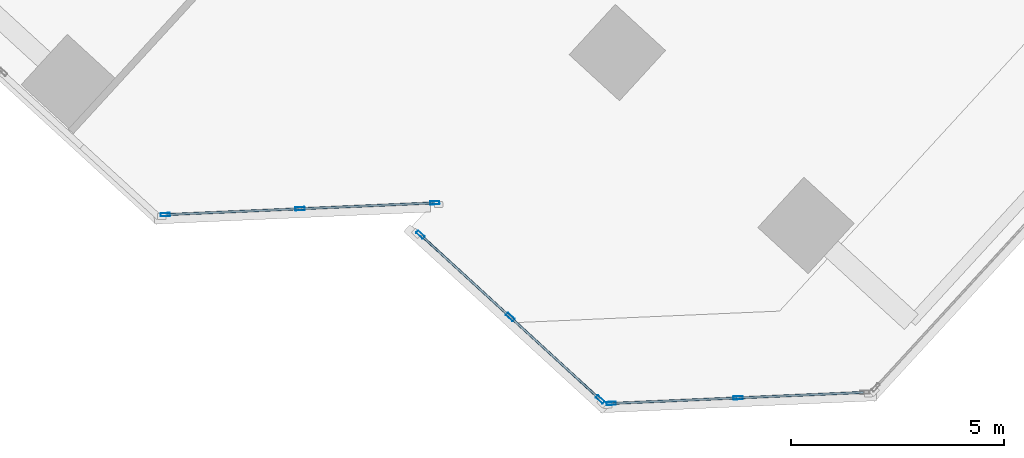
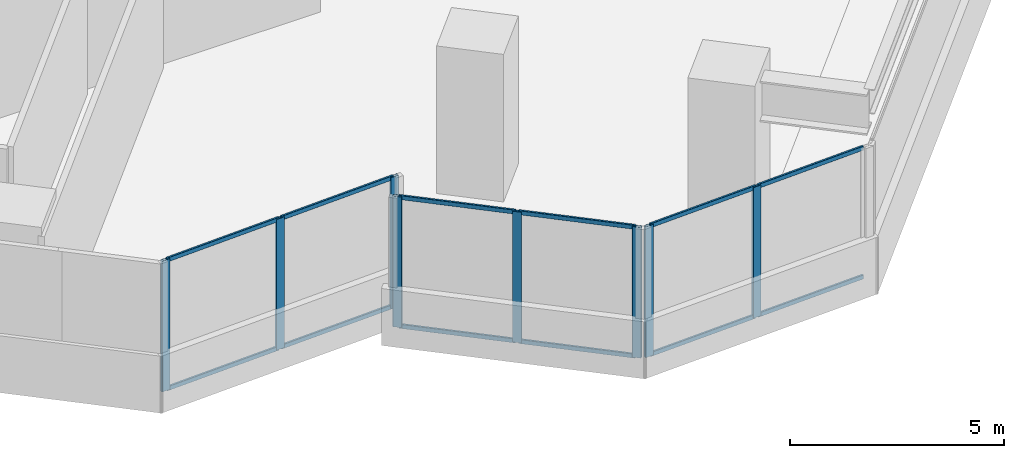
# One storey, part 3 of 19: 20 members, 3 elements without a shape of their own.
"""IFC4 building model written with IfcOpenShell, lengths in metres."""

from ifc_helpers import new_model, si_unit, direction, frame, origin, origin_2d, place, context, subcontext, project, spatial, hollow_rectangle, extrude, source, transform, mapped, material, material_profile, profile_set, type_object, element, aggregate, save


model = new_model("IFC4")

# Units and contexts
model_context = context("Model", 3, precision=1e-05, world=origin(), true_north=direction((0.0, 1.0)))
body_context = subcontext(model_context, "Body", "Model", "MODEL_VIEW")
ifc_project = project(units=[si_unit("LENGTHUNIT", "METRE"), si_unit("AREAUNIT", "SQUARE_METRE"), si_unit("VOLUMEUNIT", "CUBIC_METRE"), si_unit("PLANEANGLEUNIT", "RADIAN"), si_unit("MASSUNIT", "GRAM", prefix="KILO")], contexts=[model_context])

# Site, building, storey
site_placement = place(None, origin())
site = spatial("IfcSite", under=ifc_project, at=site_placement, CompositionType="ELEMENT")
building_placement = place(site_placement, origin())
building = spatial("IfcBuilding", under=site, at=building_placement, Name="Torre Montelarca", CompositionType="ELEMENT")
storey_placement = place(building_placement, frame((0.0, 0.0, 229.0)))
storey = spatial("IfcBuildingStorey", under=building, at=storey_placement, Name="L51", CompositionType="ELEMENT", Elevation=229.0)

# Curtain wall, members
ifc_material_1 = material(Name="Insulated low-E laminated glass", Category="glass")
curtain_wall_type = type_object("IfcCurtainWallType", Name="CW-SYS-Z3", PredefinedType="USERDEFINED", material=ifc_material_1)
curtain_wall_1_placement = place(storey_placement, origin())
curtain_wall_1 = element("IfcCurtainWall", 1, at=curtain_wall_1_placement, inside=storey, type_object=curtain_wall_type, Name="L51 Curtain Wall Run CW-T3-L51-E02-B1", ObjectType="UNITISED GLAZING", PredefinedType="USERDEFINED")
ifc_material_2 = material(Name="Anodised aluminium AA 6063-T6", Category="aluminium")
ifc_material_profile_1 = material_profile(ifc_material_2, hollow_rectangle(XDim=0.054931640625, YDim=0.1201171875, WallThickness=0.00341796875, InnerFilletRadius=0.00341796875, OuterFilletRadius=0.007080078125, at=origin_2d()), Name="ALU55X120X3.5", Category="aluminium")
ifc_profile_set_1 = profile_set([ifc_material_profile_1], Name="Anodised aluminium AA 6063-T6")
member_type_1 = type_object("IfcMemberType", Name="CWT-ALU120", PredefinedType="USERDEFINED", material=ifc_profile_set_1)
shared_shape_1 = source(origin(), body_context, "Body", "SweptSolid", [
    extrude(hollow_rectangle(XDim=0.054931640625, YDim=0.1201171875, WallThickness=0.00341796875, InnerFilletRadius=0.00341796875, OuterFilletRadius=0.007080078125, at=origin_2d()), origin(), (0.0, 0.0, 1.0), 3.08740234375),
])
member_1_placement = place(storey_placement, frame((16.22216796875, 12.506591796875, 0.027587890625), z_axis=(0.999050330567, 0.043571056842, 0.0), x_axis=(-0.043571056842, 0.999050330567, 0.0)))
member_1 = element("IfcMember", 2, at=member_1_placement, type_object=member_type_1, Name="CW transom 1.1", ObjectType="TRANSOM", PredefinedType="USERDEFINED", context=body_context, shape_type="MappedRepresentation", body=[
    mapped(shared_shape_1, transform((0.0, 0.0, 0.0), scale=1.0)),
])
member_2_placement = place(storey_placement, frame((16.22216796875, 12.506591796875, 3.6923828125), z_axis=(0.999050330567, 0.043571056842, 0.0), x_axis=(-0.043571056842, 0.999050330567, 0.0)))
member_2 = element("IfcMember", 3, at=member_2_placement, type_object=member_type_1, Name="CW transom 1.2", ObjectType="TRANSOM", PredefinedType="USERDEFINED", context=body_context, shape_type="MappedRepresentation", body=[
    mapped(shared_shape_1, transform((0.0, 0.0, 0.0), scale=1.0)),
])
member_3_placement = place(storey_placement, frame((19.381591796875, 12.64453125, 0.027587890625), z_axis=(0.999050330567, 0.043571056842, 0.0), x_axis=(-0.043571056842, 0.999050330567, 0.0)))
member_3 = element("IfcMember", 4, at=member_3_placement, type_object=member_type_1, Name="CW transom 2.1", ObjectType="TRANSOM", PredefinedType="USERDEFINED", context=body_context, shape_type="MappedRepresentation", body=[
    mapped(shared_shape_1, transform((0.0, 0.0, 0.0), scale=1.0)),
])
member_4_placement = place(storey_placement, frame((19.381591796875, 12.64453125, 3.6923828125), z_axis=(0.999050330567, 0.043571056842, 0.0), x_axis=(-0.043571056842, 0.999050330567, 0.0)))
member_4 = element("IfcMember", 5, at=member_4_placement, type_object=member_type_1, Name="CW transom 2.2", ObjectType="TRANSOM", PredefinedType="USERDEFINED", context=body_context, shape_type="MappedRepresentation", body=[
    mapped(shared_shape_1, transform((0.0, 0.0, 0.0), scale=1.0)),
])

curtain_wall_2_placement = place(storey_placement, origin())
curtain_wall_2 = element("IfcCurtainWall", 6, at=curtain_wall_2_placement, inside=storey, type_object=curtain_wall_type, Name="L51 Curtain Wall Run CW-T3-L51-E05-B1", ObjectType="UNITISED GLAZING", PredefinedType="USERDEFINED")
shared_shape_2 = source(origin(), body_context, "Body", "SweptSolid", [
    extrude(hollow_rectangle(XDim=0.054931640625, YDim=0.1201171875, WallThickness=0.00341796875, InnerFilletRadius=0.00341796875, OuterFilletRadius=0.007080078125, at=origin_2d()), origin(), (0.0, 0.0, 1.0), 2.903564453125),
])
member_5_placement = place(storey_placement, frame((26.67822265625, 8.079345703125, 0.027587890625), z_axis=(0.999047412839, 0.043637906688, 0.0), x_axis=(-0.043637906688, 0.999047412839, 0.0)))
member_5 = element("IfcMember", 7, at=member_5_placement, type_object=member_type_1, Name="CW transom 1.1", ObjectType="TRANSOM", PredefinedType="USERDEFINED", context=body_context, shape_type="MappedRepresentation", body=[
    mapped(shared_shape_2, transform((0.0, 0.0, 0.0), scale=1.0)),
])
member_6_placement = place(storey_placement, frame((26.67822265625, 8.079345703125, 3.6923828125), z_axis=(0.999047412839, 0.043637906688, 0.0), x_axis=(-0.043637906688, 0.999047412839, 0.0)))
member_6 = element("IfcMember", 8, at=member_6_placement, type_object=member_type_1, Name="CW transom 1.2", ObjectType="TRANSOM", PredefinedType="USERDEFINED", context=body_context, shape_type="MappedRepresentation", body=[
    mapped(shared_shape_2, transform((0.0, 0.0, 0.0), scale=1.0)),
])
member_7_placement = place(storey_placement, frame((29.654052734375, 8.209228515625, 0.027587890625), z_axis=(0.999047412839, 0.043637906688, 0.0), x_axis=(-0.043637906688, 0.999047412839, 0.0)))
member_7 = element("IfcMember", 9, at=member_7_placement, type_object=member_type_1, Name="CW transom 2.1", ObjectType="TRANSOM", PredefinedType="USERDEFINED", context=body_context, shape_type="MappedRepresentation", body=[
    mapped(shared_shape_2, transform((0.0, 0.0, 0.0), scale=1.0)),
])
member_8_placement = place(storey_placement, frame((29.654052734375, 8.209228515625, 3.6923828125), z_axis=(0.999047412839, 0.043637906688, 0.0), x_axis=(-0.043637906688, 0.999047412839, 0.0)))
member_8 = element("IfcMember", 10, at=member_8_placement, type_object=member_type_1, Name="CW transom 2.2", ObjectType="TRANSOM", PredefinedType="USERDEFINED", context=body_context, shape_type="MappedRepresentation", body=[
    mapped(shared_shape_2, transform((0.0, 0.0, 0.0), scale=1.0)),
])

# Member
ifc_material_profile_2 = material_profile(ifc_material_2, hollow_rectangle(XDim=0.074951171875, YDim=0.219970703125, WallThickness=0.0048828125, InnerFilletRadius=0.0048828125, OuterFilletRadius=0.010009765625, at=origin_2d()), Name="ALU75X220X5", Category="aluminium")
ifc_profile_set_2 = profile_set([ifc_material_profile_2], Name="Anodised aluminium AA 6063-T6")
member_type_2 = type_object("IfcMemberType", Name="CWM-ALU220", PredefinedType="MULLION", material=ifc_profile_set_2)
shared_shape_3 = source(origin(), body_context, "Body", "SweptSolid", [
    extrude(hollow_rectangle(XDim=0.074951171875, YDim=0.219970703125, WallThickness=0.0048828125, InnerFilletRadius=0.0048828125, OuterFilletRadius=0.010009765625, at=origin_2d()), origin(), (0.0, 0.0, 1.0), 3.719970703125),
])
member_9_placement = place(storey_placement, frame((16.1845703125, 12.5048828125, 0.0), z_axis=(0.0, 0.0, 1.0), x_axis=(-0.043625048009, 0.999047974417, 0.0)))
member_9 = element("IfcMember", 11, at=member_9_placement, type_object=member_type_2, Name="CW mullion 1", PredefinedType="MULLION", context=body_context, shape_type="MappedRepresentation", body=[
    mapped(shared_shape_3, transform((0.0, 0.0, 0.0), scale=1.0)),
])

member_10_placement = place(storey_placement, frame((19.34423828125, 12.642822265625, 0.0), z_axis=(0.0, 0.0, 1.0), x_axis=(-0.043625048009, 0.999047974417, 0.0)))
member_10 = element("IfcMember", 12, at=member_10_placement, type_object=member_type_2, Name="CW mullion 2", PredefinedType="MULLION", context=body_context, shape_type="MappedRepresentation", body=[
    mapped(shared_shape_3, transform((0.0, 0.0, 0.0), scale=1.0)),
])

member_11_placement = place(storey_placement, frame((22.503662109375, 12.78076171875, 0.0), z_axis=(0.0, 0.0, 1.0), x_axis=(-0.043625048009, 0.999047974417, 0.0)))
member_11 = element("IfcMember", 13, at=member_11_placement, type_object=member_type_2, Name="CW mullion 3", PredefinedType="MULLION", context=body_context, shape_type="MappedRepresentation", body=[
    mapped(shared_shape_3, transform((0.0, 0.0, 0.0), scale=1.0)),
])

aggregate(curtain_wall_1, [member_9, member_10, member_11, member_1, member_2, member_3, member_4])

# Curtain wall, members
curtain_wall_3_placement = place(storey_placement, origin())
curtain_wall_3 = element("IfcCurtainWall", 14, at=curtain_wall_3_placement, inside=storey, type_object=curtain_wall_type, Name="L51 Curtain Wall Run CW-T3-L51-E04-B1", ObjectType="UNITISED GLAZING", PredefinedType="USERDEFINED")
member_12_placement = place(storey_placement, frame((22.166015625, 12.03466796875, 0.0), z_axis=(0.0, 0.0, 1.0), x_axis=(0.675572162502, 0.737293871704, 0.0)))
member_12 = element("IfcMember", 15, at=member_12_placement, type_object=member_type_2, Name="CW mullion 1", PredefinedType="MULLION", context=body_context, shape_type="MappedRepresentation", body=[
    mapped(shared_shape_3, transform((0.0, 0.0, 0.0), scale=1.0)),
])
member_13_placement = place(storey_placement, frame((24.273681640625, 10.103515625, 0.0), z_axis=(0.0, 0.0, 1.0), x_axis=(0.675572162502, 0.737293871704, 0.0)))
member_13 = element("IfcMember", 16, at=member_13_placement, type_object=member_type_2, Name="CW mullion 2", PredefinedType="MULLION", context=body_context, shape_type="MappedRepresentation", body=[
    mapped(shared_shape_3, transform((0.0, 0.0, 0.0), scale=1.0)),
])
member_14_placement = place(storey_placement, frame((26.38134765625, 8.172119140625, 0.0), z_axis=(0.0, 0.0, 1.0), x_axis=(0.675572162502, 0.737293871704, 0.0)))
member_14 = element("IfcMember", 17, at=member_14_placement, type_object=member_type_2, Name="CW mullion 3", PredefinedType="MULLION", context=body_context, shape_type="MappedRepresentation", body=[
    mapped(shared_shape_3, transform((0.0, 0.0, 0.0), scale=1.0)),
])

# Member
member_15_placement = place(storey_placement, frame((26.640869140625, 8.07763671875, 0.0), z_axis=(0.0, 0.0, 1.0), x_axis=(-0.043615635968, 0.999048385364, 0.0)))
member_15 = element("IfcMember", 18, at=member_15_placement, type_object=member_type_2, Name="CW mullion 1", PredefinedType="MULLION", context=body_context, shape_type="MappedRepresentation", body=[
    mapped(shared_shape_3, transform((0.0, 0.0, 0.0), scale=1.0)),
])

member_16_placement = place(storey_placement, frame((29.616455078125, 8.207763671875, 0.0), z_axis=(0.0, 0.0, 1.0), x_axis=(-0.043615635968, 0.999048385364, 0.0)))
member_16 = element("IfcMember", 19, at=member_16_placement, type_object=member_type_2, Name="CW mullion 2", PredefinedType="MULLION", context=body_context, shape_type="MappedRepresentation", body=[
    mapped(shared_shape_3, transform((0.0, 0.0, 0.0), scale=1.0)),
])

aggregate(curtain_wall_2, [member_15, member_16, member_5, member_6, member_7, member_8])

shared_shape_4 = source(origin(), body_context, "Body", "SweptSolid", [
    extrude(hollow_rectangle(XDim=0.054931640625, YDim=0.1201171875, WallThickness=0.00341796875, InnerFilletRadius=0.00341796875, OuterFilletRadius=0.007080078125, at=origin_2d()), origin(), (0.0, 0.0, 1.0), 2.78369140625),
])
member_17_placement = place(storey_placement, frame((22.193603515625, 12.00927734375, 0.027587890625), z_axis=(0.737303379609, -0.675561785789, 0.0), x_axis=(0.675561785789, 0.737303379609, 0.0)))
member_17 = element("IfcMember", 20, at=member_17_placement, type_object=member_type_1, Name="CW transom 1.1", ObjectType="TRANSOM", PredefinedType="USERDEFINED", context=body_context, shape_type="MappedRepresentation", body=[
    mapped(shared_shape_4, transform((0.0, 0.0, 0.0), scale=1.0)),
])

member_18_placement = place(storey_placement, frame((22.193603515625, 12.00927734375, 3.6923828125), z_axis=(0.737303379609, -0.675561785789, 0.0), x_axis=(0.675561785789, 0.737303379609, 0.0)))
member_18 = element("IfcMember", 21, at=member_18_placement, type_object=member_type_1, Name="CW transom 1.2", ObjectType="TRANSOM", PredefinedType="USERDEFINED", context=body_context, shape_type="MappedRepresentation", body=[
    mapped(shared_shape_4, transform((0.0, 0.0, 0.0), scale=1.0)),
])

member_19_placement = place(storey_placement, frame((24.30126953125, 10.078125, 0.027587890625), z_axis=(0.737263350359, -0.675605470832, 0.0), x_axis=(0.675605470832, 0.737263350359, 0.0)))
member_19 = element("IfcMember", 22, at=member_19_placement, type_object=member_type_1, Name="CW transom 2.1", ObjectType="TRANSOM", PredefinedType="USERDEFINED", context=body_context, shape_type="MappedRepresentation", body=[
    mapped(shared_shape_4, transform((0.0, 0.0, 0.0), scale=1.0)),
])

member_20_placement = place(storey_placement, frame((24.30126953125, 10.078125, 3.6923828125), z_axis=(0.737263350359, -0.675605470832, 0.0), x_axis=(0.675605470832, 0.737263350359, 0.0)))
member_20 = element("IfcMember", 23, at=member_20_placement, type_object=member_type_1, Name="CW transom 2.2", ObjectType="TRANSOM", PredefinedType="USERDEFINED", context=body_context, shape_type="MappedRepresentation", body=[
    mapped(shared_shape_4, transform((0.0, 0.0, 0.0), scale=1.0)),
])

aggregate(curtain_wall_3, [member_12, member_13, member_14, member_17, member_18, member_19, member_20])

save(model, "model.ifc")
